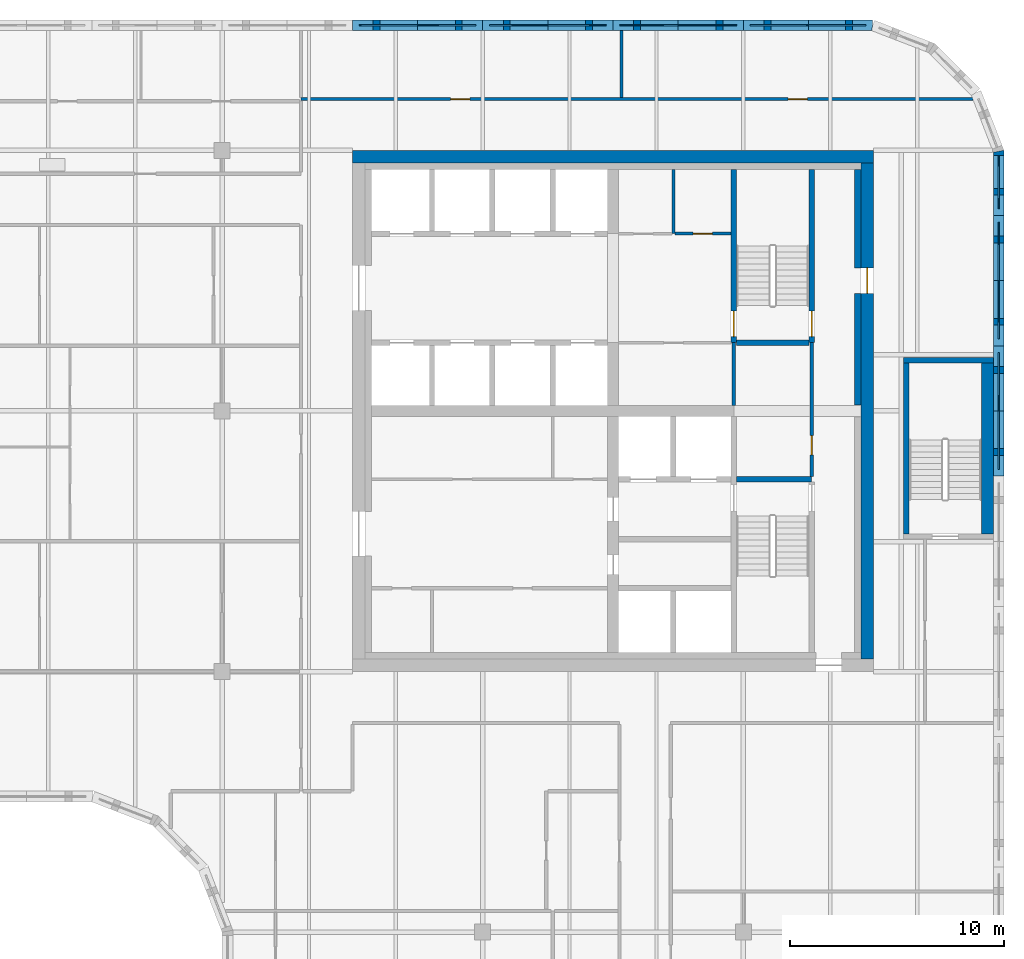
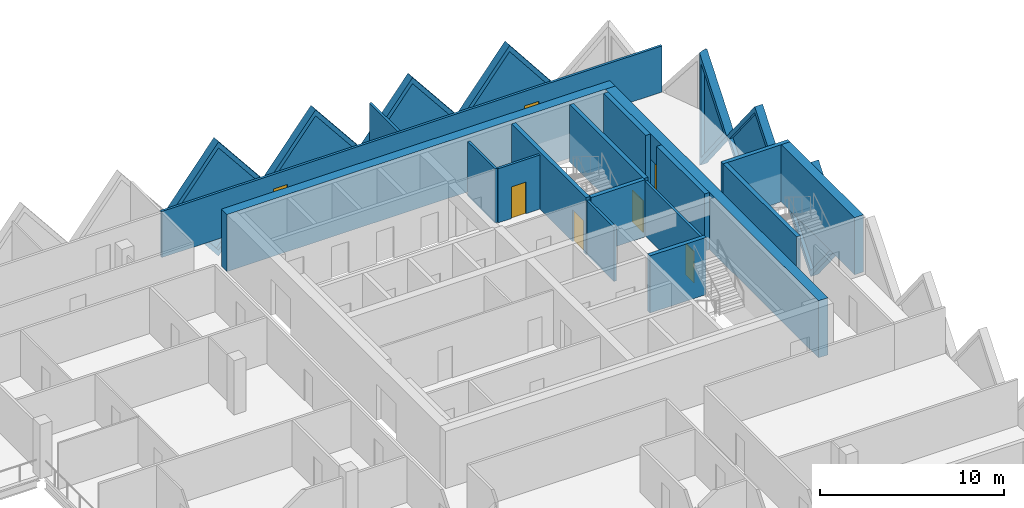
# One storey, part 9 of 12: 24 walls, 7 doors, 7 plates, 14 openings.
"""IFC4 building model written with IfcOpenShell, lengths in metres."""

from ifc_helpers import new_model, si_unit, direction, frame, frame_2d, origin, place, context, subcontext, project, spatial, polyline, rectangle, outline, extrude, faceted_brep, source, transform, mapped, material, layer, layer_set, type_object, element, fill, save


model = new_model("IFC4")

# Units and contexts
model_context = context("Model", 3, precision=1e-05, world=origin(), true_north=direction((0.0, 1.0)))
body_context = subcontext(model_context, "Body", "Model", "MODEL_VIEW")
ifc_project = project(units=[si_unit("LENGTHUNIT", "METRE"), si_unit("AREAUNIT", "SQUARE_METRE"), si_unit("VOLUMEUNIT", "CUBIC_METRE"), si_unit("PLANEANGLEUNIT", "RADIAN"), si_unit("MASSUNIT", "GRAM", prefix="KILO")], contexts=[model_context])

# Site, building, storey
site_placement = place(None, origin())
site = spatial("IfcSite", under=ifc_project, at=site_placement, CompositionType="ELEMENT")
building_placement = place(site_placement, origin())
building = spatial("IfcBuilding", under=site, at=building_placement, Name="Tessera Gate Towers", CompositionType="ELEMENT")
storey_placement = place(building_placement, frame((0.0, 0.0, 159.199951171875)))
storey = spatial("IfcBuildingStorey", under=building, at=storey_placement, Name="L39", CompositionType="ELEMENT", Elevation=159.199951171875)

# Wall
ifc_material_1 = material(Name="Concrete C40/50", Category="concrete")
ifc_layer_1 = layer(ifc_material_1, 0.25)
ifc_layer_set_1 = layer_set([ifc_layer_1], Name="CORE ENCLOSURE WALL 250")
wall_type_1 = type_object("IfcWallType", Name="CORE ENCLOSURE WALL 250", PredefinedType="SOLIDWALL", material=ifc_layer_set_1)
wall_1_placement = place(storey_placement, frame((48.47509765625, 33.39990234375, 0.0), z_axis=(0.0, 0.0, 1.0), x_axis=(1.0, 0.0, 0.0)))
element("IfcWall", 1, at=wall_1_placement, inside=storey, type_object=wall_type_1, Name="L39 shaft and stair enclosure wall", PredefinedType="SOLIDWALL", context=body_context, shape_type="SweptSolid", body=[
    extrude(rectangle(XDim=3.52490234375, YDim=0.25, at=frame_2d((1.762451171875, 0.0))), origin(), (0.0, 0.0, 1.0), 3.800048828125),
])

# Wall, opening, door
wall_2_placement = place(storey_placement, frame((48.35009765625, 47.89990234375, 0.0), z_axis=(0.0, 0.0, 1.0), x_axis=(0.0, -1.0, 0.0)))
wall_2 = element("IfcWall", 2, at=wall_2_placement, inside=storey, type_object=wall_type_1, Name="L39 shaft and stair enclosure wall", PredefinedType="SOLIDWALL", context=body_context, shape_type="SweptSolid", body=[
    extrude(rectangle(XDim=8.099853515625, YDim=0.25, at=frame_2d((4.0498046875, 0.0))), origin(), (0.0, 0.0, 1.0), 3.800048828125),
])
shared_shape_1 = source(origin(), body_context, "Body", "SweptSolid", [
    extrude(rectangle(XDim=1.199951171875, YDim=2.10009765625, at=frame_2d((0.60009765625, 1.050048828125))), frame((0.0, 0.135009765625, 0.0), z_axis=(0.0, -1.0, 0.0), x_axis=(1.0, 0.0, 0.0)), (0.0, 0.0, 1.0), 0.27001953125),
])
opening_1_placement = place(wall_2_placement, frame((6.625, 0.0, 0.0)))
opening_1 = element("IfcOpeningElement", 3, at=opening_1_placement, cuts=wall_2, Name="Opening SD-ST2-1", PredefinedType="OPENING", context=body_context, shape_type="MappedRepresentation", body=[
    mapped(shared_shape_1, transform((0.0, 0.0, 0.0), scale=1.0)),
])
ifc_material_2 = material(Name="Hollow steel fire door", Category="steel")
door_type_1 = type_object("IfcDoorType", Name="CORE DOOR SD 1200x2100", OperationType="NOTDEFINED", PredefinedType="DOOR", material=ifc_material_2)
shared_shape_2 = source(origin(), body_context, "Body", "SweptSolid", [
    extrude(rectangle(XDim=1.199951171875, YDim=2.10009765625, at=frame_2d((0.60009765625, 1.050048828125))), frame((0.0, 0.02490234375, 0.0), z_axis=(0.0, -1.0, 0.0), x_axis=(1.0, 0.0, 0.0)), (0.0, 0.0, 1.0), 0.050048828125),
])
door_1_placement = place(opening_1_placement, origin())
door_1 = element("IfcDoor", 4, at=door_1_placement, inside=storey, type_object=door_type_1, Name="Stair door", OperationType="SINGLE_SWING_RIGHT", OverallHeight=2.10009765625, OverallWidth=1.199951171875, PredefinedType="DOOR", context=body_context, shape_type="MappedRepresentation", body=[
    mapped(shared_shape_2, transform((0.0, 0.0, 0.0), scale=1.0)),
])
fill(opening_1, door_1)

wall_3_placement = place(storey_placement, frame((52.0, 39.800048828125, 0.0), z_axis=(0.0, 0.0, 1.0), x_axis=(0.0, 1.0, 0.0)))
wall_3 = element("IfcWall", 5, at=wall_3_placement, inside=storey, type_object=wall_type_1, Name="L39 shaft and stair enclosure wall", PredefinedType="SOLIDWALL", context=body_context, shape_type="SweptSolid", body=[
    extrude(rectangle(XDim=8.099853515625, YDim=0.25, at=frame_2d((4.0498046875, 0.0))), origin(), (0.0, 0.0, 1.0), 3.800048828125),
])
opening_2_placement = place(wall_3_placement, frame((0.27490234375, 0.0, 0.0)))
opening_2 = element("IfcOpeningElement", 6, at=opening_2_placement, cuts=wall_3, Name="Opening SD-ST2-2", PredefinedType="OPENING", context=body_context, shape_type="MappedRepresentation", body=[
    mapped(shared_shape_1, transform((0.0, 0.0, 0.0), scale=1.0)),
])
door_2_placement = place(opening_2_placement, origin())
door_2 = element("IfcDoor", 7, at=door_2_placement, inside=storey, type_object=door_type_1, Name="Stair door", OperationType="SINGLE_SWING_LEFT", OverallHeight=2.10009765625, OverallWidth=1.199951171875, PredefinedType="DOOR", context=body_context, shape_type="MappedRepresentation", body=[
    mapped(shared_shape_2, transform((0.0, 0.0, 0.0), scale=1.0)),
])
fill(opening_2, door_2)

# Walls
wall_4_placement = place(storey_placement, frame((48.47509765625, 39.800048828125, 0.0), z_axis=(0.0, 0.0, 1.0), x_axis=(1.0, 0.0, 0.0)))
element("IfcWall", 8, at=wall_4_placement, inside=storey, type_object=wall_type_1, Name="L39 shaft and stair enclosure wall", PredefinedType="SOLIDWALL", context=body_context, shape_type="SweptSolid", body=[
    extrude(rectangle(XDim=3.39990234375, YDim=0.25, at=frame_2d((1.699951171875, 0.0))), origin(), (0.0, 0.0, 1.0), 3.800048828125),
])
wall_5_placement = place(storey_placement, frame((56.425048828125, 30.85009765625, 0.0), z_axis=(0.0, 0.0, 1.0), x_axis=(0.0, 1.0, 0.0)))
element("IfcWall", 9, at=wall_5_placement, inside=storey, type_object=wall_type_1, Name="L39 ST5 enclosure wall", PredefinedType="SOLIDWALL", context=body_context, shape_type="SweptSolid", body=[
    extrude(rectangle(XDim=8.0, YDim=0.25, at=frame_2d((4.0, 0.0))), origin(), (0.0, 0.0, 1.0), 3.800048828125),
])
wall_6_placement = place(storey_placement, frame((56.300048828125, 38.97509765625, 0.0), z_axis=(0.0, 0.0, 1.0), x_axis=(1.0, 0.0, 0.0)))
element("IfcWall", 10, at=wall_6_placement, inside=storey, type_object=wall_type_1, Name="L39 ST5 enclosure wall", PredefinedType="SOLIDWALL", context=body_context, shape_type="SweptSolid", body=[
    extrude(rectangle(XDim=4.199951171875, YDim=0.25, at=frame_2d((2.10009765625, 0.0))), origin(), (0.0, 0.0, 1.0), 3.800048828125),
])
ifc_material_3 = material(Name="Concrete C40/50", Category="concrete")
ifc_layer_2 = layer(ifc_material_3, 0.550048828125)
ifc_layer_set_2 = layer_set([ifc_layer_2], Name="CORE ENCLOSURE WALL 550")
wall_type_2 = type_object("IfcWallType", Name="CORE ENCLOSURE WALL 550", PredefinedType="SOLIDWALL", material=ifc_layer_set_2)
wall_7_placement = place(storey_placement, frame((60.22509765625, 38.85009765625, 0.0), z_axis=(0.0, 0.0, 1.0), x_axis=(0.0, -1.0, 0.0)))
element("IfcWall", 11, at=wall_7_placement, inside=storey, type_object=wall_type_2, Name="L39 ST5 enclosure wall", PredefinedType="SOLIDWALL", context=body_context, shape_type="SweptSolid", body=[
    extrude(rectangle(XDim=8.0, YDim=0.550048828125, at=frame_2d((4.0, 0.0))), origin(), (0.0, 0.0, 1.0), 3.800048828125),
])
ifc_material_4 = material(Name="Concrete C50/60", Category="concrete")
ifc_layer_3 = layer(ifc_material_4, 0.60009765625)
ifc_layer_set_3 = layer_set([ifc_layer_3], Name="CORE SHEAR WALL 600 C50/60")
wall_type_3 = type_object("IfcWallType", Name="CORE SHEAR WALL 600 C50/60", PredefinedType="SHEAR", material=ifc_layer_set_3)
wall_8_placement = place(storey_placement, frame((30.5, 48.5, 0.0), z_axis=(0.0, 0.0, 1.0), x_axis=(1.0, 0.0, 0.0)))
element("IfcWall", 12, at=wall_8_placement, inside=storey, type_object=wall_type_3, Name="Core wall N L39", PredefinedType="SHEAR", context=body_context, shape_type="SweptSolid", body=[
    extrude(rectangle(XDim=24.39990234375, YDim=0.60009765625, at=frame_2d((12.199951171875, 0.0))), origin(), (0.0, 0.0, 1.0), 3.800048828125),
])

# Wall, opening, door
wall_9_placement = place(storey_placement, frame((54.60009765625, 48.199951171875, 0.0), z_axis=(0.0, 0.0, 1.0), x_axis=(0.0, -1.0, 0.0)))
wall_9 = element("IfcWall", 13, at=wall_9_placement, inside=storey, type_object=wall_type_3, Name="Core wall E L39", PredefinedType="SHEAR", context=body_context, shape_type="SweptSolid", body=[
    extrude(rectangle(XDim=23.199951171875, YDim=0.60009765625, at=frame_2d((11.60009765625, 0.0))), origin(), (0.0, 0.0, 1.0), 3.800048828125),
])
shared_shape_3 = source(origin(), body_context, "Body", "SweptSolid", [
    extrude(rectangle(XDim=1.199951171875, YDim=2.10009765625, at=frame_2d((0.60009765625, 1.050048828125))), frame((0.0, 0.31005859375, 0.0), z_axis=(0.0, -1.0, 0.0), x_axis=(1.0, 0.0, 0.0)), (0.0, 0.0, 1.0), 0.6201171875),
])
opening_3_placement = place(wall_9_placement, frame((4.89990234375, 0.0, 0.0)))
opening_3 = element("IfcOpeningElement", 14, at=opening_3_placement, cuts=wall_9, Name="Opening ED-T1-26-04", PredefinedType="OPENING", context=body_context, shape_type="MappedRepresentation", body=[
    mapped(shared_shape_3, transform((0.0, 0.0, 0.0), scale=1.0)),
])
ifc_material_5 = material(Name="Hollow steel fire door", Category="steel")
door_type_2 = type_object("IfcDoorType", Name="CORE DOOR ED 1200x2100", OperationType="NOTDEFINED", PredefinedType="DOOR", material=ifc_material_5)
door_3_placement = place(opening_3_placement, origin())
door_3 = element("IfcDoor", 15, at=door_3_placement, inside=storey, type_object=door_type_2, Name="Core exit door", OperationType="SINGLE_SWING_LEFT", OverallHeight=2.10009765625, OverallWidth=1.199951171875, PredefinedType="DOOR", context=body_context, shape_type="MappedRepresentation", body=[
    mapped(shared_shape_2, transform((0.0, 0.0, 0.0), scale=1.0)),
])
fill(opening_3, door_3)

# Walls
ifc_material_6 = material(Name="Concrete C50/60", Category="concrete")
ifc_layer_4 = layer(ifc_material_6, 0.300048828125)
ifc_layer_set_4 = layer_set([ifc_layer_4], Name="CORE WALL THICKENING 300")
wall_type_4 = type_object("IfcWallType", Name="CORE WALL THICKENING 300", PredefinedType="SOLIDWALL", material=ifc_layer_set_4)
wall_10_placement = place(storey_placement, frame((54.14990234375, 36.8798828125, 0.0), z_axis=(0.0, 0.0, 1.0), x_axis=(0.0, 1.0, 0.0)))
element("IfcWall", 16, at=wall_10_placement, inside=storey, type_object=wall_type_4, Name="Core wall thickening E L39", PredefinedType="SOLIDWALL", context=body_context, shape_type="SweptSolid", body=[
    extrude(rectangle(XDim=5.22021484375, YDim=0.300048828125, at=frame_2d((2.610107421875, 0.0))), origin(), (0.0, 0.0, 1.0), 3.800048828125),
])
wall_11_placement = place(storey_placement, frame((54.14990234375, 43.300048828125, 0.0), z_axis=(0.0, 0.0, 1.0), x_axis=(0.0, 1.0, 0.0)))
element("IfcWall", 17, at=wall_11_placement, inside=storey, type_object=wall_type_4, Name="Core wall thickening E L39", PredefinedType="SOLIDWALL", context=body_context, shape_type="SweptSolid", body=[
    extrude(rectangle(XDim=4.599853515625, YDim=0.300048828125, at=frame_2d((2.2998046875, 0.0))), origin(), (0.0, 0.0, 1.0), 3.800048828125),
])

# Wall, openings, doors
ifc_material_7 = material(Name="Gypsum board on steel studs, mineral wool", Category="steel")
ifc_layer_5 = layer(ifc_material_7, 0.14990234375)
ifc_layer_set_5 = layer_set([ifc_layer_5], Name="CORRIDOR WALL 150")
wall_type_5 = type_object("IfcWallType", Name="CORRIDOR WALL 150", PredefinedType="PARTITIONING", material=ifc_layer_set_5)
wall_12_placement = place(storey_placement, frame((28.10009765625, 51.199951171875, 0.0), z_axis=(0.0, 0.0, 1.0), x_axis=(1.0, 0.0, 0.0)))
wall_12 = element("IfcWall", 18, at=wall_12_placement, inside=storey, type_object=wall_type_5, Name="T1-L39-PW-048", PredefinedType="PARTITIONING", context=body_context, shape_type="SweptSolid", body=[
    extrude(rectangle(XDim=31.438232421875, YDim=0.14990234375, at=frame_2d((15.71923828125, 0.0))), origin(), (0.0, 0.0, 1.0), 3.067138671875),
])
shared_shape_4 = source(origin(), body_context, "Body", "SweptSolid", [
    extrude(rectangle(XDim=0.89990234375, YDim=2.10009765625, at=frame_2d((0.449951171875, 1.050048828125))), frame((0.0, 0.0849609375, 0.0), z_axis=(0.0, -1.0, 0.0), x_axis=(1.0, 0.0, 0.0)), (0.0, 0.0, 1.0), 0.169921875),
])
opening_4_placement = place(wall_12_placement, frame((7.0, 0.0, 0.0)))
opening_4 = element("IfcOpeningElement", 19, at=opening_4_placement, cuts=wall_12, Name="Opening D890FD60-A14-04", PredefinedType="OPENING", context=body_context, shape_type="MappedRepresentation", body=[
    mapped(shared_shape_4, transform((0.0, 0.0, 0.0), scale=1.0)),
])
opening_5_placement = place(wall_12_placement, frame((22.800048828125, 0.0, 0.0)))
opening_5 = element("IfcOpeningElement", 20, at=opening_5_placement, cuts=wall_12, Name="Opening D890FD60-A14-05", PredefinedType="OPENING", context=body_context, shape_type="MappedRepresentation", body=[
    mapped(shared_shape_4, transform((0.0, 0.0, 0.0), scale=1.0)),
])
ifc_material_8 = material(Name="Timber door leaf in steel frame", Category="steel")
door_type_3 = type_object("IfcDoorType", Name="CORRIDOR DOOR 900 FD60", OperationType="NOTDEFINED", PredefinedType="DOOR", material=ifc_material_8)
shared_shape_5 = source(origin(), body_context, "Body", "SweptSolid", [
    extrude(rectangle(XDim=0.89990234375, YDim=2.10009765625, at=frame_2d((0.449951171875, 1.050048828125))), frame((0.0, 0.02490234375, 0.0), z_axis=(0.0, -1.0, 0.0), x_axis=(1.0, 0.0, 0.0)), (0.0, 0.0, 1.0), 0.050048828125),
])
door_4_placement = place(opening_4_placement, origin())
door_4 = element("IfcDoor", 21, at=door_4_placement, inside=storey, type_object=door_type_3, Name="T1-L39-PD-027", OperationType="SINGLE_SWING_LEFT", OverallHeight=2.10009765625, OverallWidth=0.89990234375, PredefinedType="DOOR", context=body_context, shape_type="MappedRepresentation", body=[
    mapped(shared_shape_5, transform((0.0, 0.0, 0.0), scale=1.0)),
])
fill(opening_4, door_4)
door_5_placement = place(opening_5_placement, origin())
door_5 = element("IfcDoor", 22, at=door_5_placement, inside=storey, type_object=door_type_3, Name="T1-L39-PD-028", OperationType="SINGLE_SWING_LEFT", OverallHeight=2.10009765625, OverallWidth=0.89990234375, PredefinedType="DOOR", context=body_context, shape_type="MappedRepresentation", body=[
    mapped(shared_shape_5, transform((0.0, 0.0, 0.0), scale=1.0)),
])
fill(opening_5, door_5)

# Wall, opening, door
ifc_material_9 = material(Name="Gypsum board on steel studs", Category="steel")
ifc_layer_6 = layer(ifc_material_9, 0.14990234375)
ifc_layer_set_6 = layer_set([ifc_layer_6], Name="SERVICE ROOM WALL 150")
wall_type_6 = type_object("IfcWallType", Name="SERVICE ROOM WALL 150", PredefinedType="PARTITIONING", material=ifc_layer_set_6)
wall_13_placement = place(storey_placement, frame((52.0, 33.52490234375, 0.0), z_axis=(0.0, 0.0, 1.0), x_axis=(0.0, 1.0, 0.0)))
wall_13 = element("IfcWall", 23, at=wall_13_placement, inside=storey, type_object=wall_type_6, Name="L39 service room wall", PredefinedType="PARTITIONING", context=body_context, shape_type="SweptSolid", body=[
    extrude(rectangle(XDim=6.275146484375, YDim=0.14990234375, at=frame_2d((3.1376953125, 0.0))), origin(), (0.0, 0.0, 1.0), 3.60009765625),
])
opening_6_placement = place(wall_13_placement, frame((1.02490234375, 0.0, 0.0)))
opening_6 = element("IfcOpeningElement", 24, at=opening_6_placement, cuts=wall_13, Name="Opening RD-T1-26-11", PredefinedType="OPENING", context=body_context, shape_type="MappedRepresentation", body=[
    mapped(shared_shape_4, transform((0.0, 0.0, 0.0), scale=1.0)),
])
ifc_material_10 = material(Name="Hollow steel fire door", Category="steel")
door_type_4 = type_object("IfcDoorType", Name="CORE DOOR RD 900x2100", OperationType="NOTDEFINED", PredefinedType="DOOR", material=ifc_material_10)
door_6_placement = place(opening_6_placement, origin())
door_6 = element("IfcDoor", 25, at=door_6_placement, inside=storey, type_object=door_type_4, Name="Core room door", OperationType="SINGLE_SWING_LEFT", OverallHeight=2.10009765625, OverallWidth=0.89990234375, PredefinedType="DOOR", context=body_context, shape_type="MappedRepresentation", body=[
    mapped(shared_shape_5, transform((0.0, 0.0, 0.0), scale=1.0)),
])
fill(opening_6, door_6)

# Walls
wall_14_placement = place(storey_placement, frame((48.35009765625, 36.85009765625, 0.0), z_axis=(0.0, 0.0, 1.0), x_axis=(0.0, 1.0, 0.0)))
element("IfcWall", 26, at=wall_14_placement, inside=storey, type_object=wall_type_6, Name="L39 service room wall", PredefinedType="PARTITIONING", context=body_context, shape_type="SweptSolid", body=[
    extrude(rectangle(XDim=2.949951171875, YDim=0.14990234375, at=frame_2d((1.47509765625, 0.0))), origin(), (0.0, 0.0, 1.0), 3.60009765625),
])
wall_15_placement = place(storey_placement, frame((45.52490234375, 44.89990234375, 0.0), z_axis=(0.0, 0.0, 1.0), x_axis=(0.0, 1.0, 0.0)))
element("IfcWall", 27, at=wall_15_placement, inside=storey, type_object=wall_type_6, Name="L39 service room wall", PredefinedType="PARTITIONING", context=body_context, shape_type="SweptSolid", body=[
    extrude(rectangle(XDim=3.0, YDim=0.14990234375, at=frame_2d((1.5, 0.0))), origin(), (0.0, 0.0, 1.0), 3.60009765625),
])

# Wall, opening, door
wall_16_placement = place(storey_placement, frame((45.60009765625, 44.89990234375, 0.0), z_axis=(0.0, 0.0, 1.0), x_axis=(1.0, 0.0, 0.0)))
wall_16 = element("IfcWall", 28, at=wall_16_placement, inside=storey, type_object=wall_type_6, Name="L39 service room wall", PredefinedType="PARTITIONING", context=body_context, shape_type="SweptSolid", body=[
    extrude(rectangle(XDim=2.625, YDim=0.14990234375, at=frame_2d((1.3125, 0.0))), origin(), (0.0, 0.0, 1.0), 3.60009765625),
])
opening_7_placement = place(wall_16_placement, frame((0.85009765625, 0.0, 0.0)))
opening_7 = element("IfcOpeningElement", 29, at=opening_7_placement, cuts=wall_16, Name="Opening RD-T1-26-14", PredefinedType="OPENING", context=body_context, shape_type="MappedRepresentation", body=[
    mapped(shared_shape_4, transform((0.0, 0.0, 0.0), scale=1.0)),
])
door_7_placement = place(opening_7_placement, origin())
door_7 = element("IfcDoor", 30, at=door_7_placement, inside=storey, type_object=door_type_4, Name="Core room door", OperationType="SINGLE_SWING_LEFT", OverallHeight=2.10009765625, OverallWidth=0.89990234375, PredefinedType="DOOR", context=body_context, shape_type="MappedRepresentation", body=[
    mapped(shared_shape_5, transform((0.0, 0.0, 0.0), scale=1.0)),
])
fill(opening_7, door_7)

# Wall
ifc_material_11 = material(Name="Gypsum board on steel studs, mineral wool", Category="steel")
ifc_layer_7 = layer(ifc_material_11, 0.14990234375)
ifc_layer_set_7 = layer_set([ifc_layer_7], Name="TENANCY WALL 150")
wall_type_7 = type_object("IfcWallType", Name="TENANCY WALL 150", PredefinedType="PARTITIONING", material=ifc_layer_set_7)
wall_17_placement = place(storey_placement, frame((43.10009765625, 51.27587890625, 0.0), z_axis=(0.0, 0.0, 1.0), x_axis=(0.0, 1.0, 0.0)))
element("IfcWall", 31, at=wall_17_placement, inside=storey, type_object=wall_type_7, Name="T1-L39-PW-050", PredefinedType="PARTITIONING", context=body_context, shape_type="SweptSolid", body=[
    extrude(rectangle(XDim=3.1240234375, YDim=0.14990234375, at=frame_2d((1.56201171875, 0.0))), origin(), (0.0, 0.0, 1.0), 3.067138671875),
])

# Wall, opening, plate
ifc_material_12 = material(Name="Precast concrete C60/75 white", Category="concrete")
ifc_layer_8 = layer(ifc_material_12, 0.5)
ifc_layer_set_8 = layer_set([ifc_layer_8], Name="TS1 tessera")
wall_type_8 = type_object("IfcWallType", Name="TS1 tessera", PredefinedType="SOLIDWALL", material=ifc_layer_set_8)
shared_shape_6 = source(origin(), body_context, "Body", "Brep", [
    faceted_brep([(3.00341796875, -0.25, 0.0), (6.053466796875, -0.25, 3.800048828125), (3.00341796875, -0.25, 7.60009765625), (0.0, -0.25, 3.800048828125), (0.046630859375, 0.25, 3.85888671875), (3.00341796875, 0.25, 7.60009765625), (6.053466796875, 0.25, 3.800048828125), (3.00341796875, 0.25, 0.0), (0.046630859375, 0.25, 3.7412109375), (0.0, 0.0, 3.800048828125)], [[[0, 1, 2, 3]], [[4, 5, 6, 7, 8]], [[7, 6, 1, 0]], [[6, 5, 2, 1]], [[5, 4, 9, 3, 2]], [[8, 7, 0, 3, 9]], [[8, 9, 4]]]),
])
wall_18_placement = place(storey_placement, frame((54.853515625, 54.64990234375, -3.800048828125), z_axis=(0.0, 0.0, 1.0), x_axis=(-1.0, 0.0, 0.0)))
wall_18 = element("IfcWall", 32, at=wall_18_placement, inside=storey, type_object=wall_type_8, Name="Precast tessera T1 TS1-0654", PredefinedType="SOLIDWALL", context=body_context, shape_type="MappedRepresentation", body=[
    mapped(shared_shape_6, transform((0.0, 0.0, 0.0), scale=1.0)),
])
shared_shape_7 = source(origin(), body_context, "Body", "SweptSolid", [
    extrude(outline(polyline([(3.0048828125, 0.4013671875), (5.73291015625, 3.800048828125), (3.0048828125, 7.19873046875), (0.318603515625, 3.800048828125), (3.0048828125, 0.4013671875)])), frame((0.0, 0.260009765625, 0.0), z_axis=(0.0, -1.0, 0.0), x_axis=(1.0, 0.0, 0.0)), (0.0, 0.0, 1.0), 0.52001953125),
])
opening_8_placement = place(wall_18_placement, origin())
opening_8 = element("IfcOpeningElement", 33, at=opening_8_placement, cuts=wall_18, Name="Opening T1-PL2-1334", PredefinedType="OPENING", context=body_context, shape_type="MappedRepresentation", body=[
    mapped(shared_shape_7, transform((0.0, 0.0, 0.0), scale=1.0)),
])
ifc_material_13 = material(Name="Low-e laminated glass", Category="glass")
ifc_layer_9 = layer(ifc_material_13, 0.06005859375)
ifc_layer_set_9 = layer_set([ifc_layer_9], Name="PL2 rhombic pane")
plate_type = type_object("IfcPlateType", Name="PL2 rhombic pane", PredefinedType="SHEET", material=ifc_layer_set_9)
shared_shape_8 = source(origin(), body_context, "Body", "SweptSolid", [
    extrude(outline(polyline([(3.0048828125, 0.4013671875), (5.73291015625, 3.800048828125), (3.0048828125, 7.19873046875), (0.318603515625, 3.800048828125), (3.0048828125, 0.4013671875)])), frame((0.0, 0.030029296875, 0.0), z_axis=(0.0, -1.0, 0.0), x_axis=(1.0, 0.0, 0.0)), (0.0, 0.0, 1.0), 0.06005859375),
])
plate_1_placement = place(opening_8_placement, origin())
plate_1 = element("IfcPlate", 34, at=plate_1_placement, inside=storey, type_object=plate_type, Name="Glass pane T1 PL2-1334", PredefinedType="SHEET", context=body_context, shape_type="MappedRepresentation", body=[
    mapped(shared_shape_8, transform((0.0, 0.0, 0.0), scale=1.0)),
])
fill(opening_8, plate_1)

shared_shape_9 = source(origin(), body_context, "Body", "Brep", [
    faceted_brep([(3.050048828125, -0.25, 0.0), (6.099853515625, -0.25, 3.7998046875), (6.099853515625, -0.25, 3.80029296875), (3.050048828125, -0.25, 7.60009765625), (0.0, -0.25, 3.800048828125), (0.0, 0.25, 3.800048828125), (3.050048828125, 0.25, 7.60009765625), (6.099853515625, 0.25, 3.80029296875), (6.099853515625, 0.25, 3.7998046875), (3.050048828125, 0.25, 0.0)], [[[0, 1, 2, 3, 4]], [[5, 6, 7, 8, 9]], [[9, 8, 1, 0]], [[7, 6, 3, 2]], [[6, 5, 4, 3]], [[5, 9, 0, 4]], [[1, 8, 7, 2]]]),
])
wall_19_placement = place(storey_placement, frame((60.75, 33.550048828125, -3.800048828125), z_axis=(0.0, 0.0, 1.0), x_axis=(0.0, 1.0, 0.0)))
wall_19 = element("IfcWall", 35, at=wall_19_placement, inside=storey, type_object=wall_type_8, Name="Precast tessera T1 TS1-0652", PredefinedType="SOLIDWALL", context=body_context, shape_type="MappedRepresentation", body=[
    mapped(shared_shape_9, transform((0.0, 0.0, 0.0), scale=1.0)),
])
shared_shape_10 = source(origin(), body_context, "Body", "SweptSolid", [
    extrude(outline(polyline([(3.050048828125, 0.3994140625), (5.779541015625, 3.800048828125), (3.050048828125, 7.20068359375), (0.320556640625, 3.800048828125), (3.050048828125, 0.3994140625)])), frame((0.0, 0.260009765625, 0.0), z_axis=(0.0, -1.0, 0.0), x_axis=(1.0, 0.0, 0.0)), (0.0, 0.0, 1.0), 0.52001953125),
])
opening_9_placement = place(wall_19_placement, origin())
opening_9 = element("IfcOpeningElement", 36, at=opening_9_placement, cuts=wall_19, Name="Opening T1-PL2-1328", PredefinedType="OPENING", context=body_context, shape_type="MappedRepresentation", body=[
    mapped(shared_shape_10, transform((0.0, 0.0, 0.0), scale=1.0)),
])
shared_shape_11 = source(origin(), body_context, "Body", "SweptSolid", [
    extrude(outline(polyline([(3.050048828125, 0.3994140625), (5.779541015625, 3.800048828125), (3.050048828125, 7.20068359375), (0.320556640625, 3.800048828125), (3.050048828125, 0.3994140625)])), frame((0.0, 0.030029296875, 0.0), z_axis=(0.0, -1.0, 0.0), x_axis=(1.0, 0.0, 0.0)), (0.0, 0.0, 1.0), 0.06005859375),
])
plate_2_placement = place(opening_9_placement, origin())
plate_2 = element("IfcPlate", 37, at=plate_2_placement, inside=storey, type_object=plate_type, Name="Glass pane T1 PL2-1328", PredefinedType="SHEET", context=body_context, shape_type="MappedRepresentation", body=[
    mapped(shared_shape_11, transform((0.0, 0.0, 0.0), scale=1.0)),
])
fill(opening_9, plate_2)

wall_20_placement = place(storey_placement, frame((42.699951171875, 54.64990234375, -3.800048828125), z_axis=(0.0, 0.0, 1.0), x_axis=(-1.0, 0.0, 0.0)))
wall_20 = element("IfcWall", 38, at=wall_20_placement, inside=storey, type_object=wall_type_8, Name="Precast tessera T1 TS1-0656", PredefinedType="SOLIDWALL", context=body_context, shape_type="MappedRepresentation", body=[
    mapped(shared_shape_9, transform((0.0, 0.0, 0.0), scale=1.0)),
])
opening_10_placement = place(wall_20_placement, origin())
opening_10 = element("IfcOpeningElement", 39, at=opening_10_placement, cuts=wall_20, Name="Opening T1-PL2-1336", PredefinedType="OPENING", context=body_context, shape_type="MappedRepresentation", body=[
    mapped(shared_shape_10, transform((0.0, 0.0, 0.0), scale=1.0)),
])
plate_3_placement = place(opening_10_placement, origin())
plate_3 = element("IfcPlate", 40, at=plate_3_placement, inside=storey, type_object=plate_type, Name="Glass pane T1 PL2-1336", PredefinedType="SHEET", context=body_context, shape_type="MappedRepresentation", body=[
    mapped(shared_shape_11, transform((0.0, 0.0, 0.0), scale=1.0)),
])
fill(opening_10, plate_3)

shared_shape_12 = source(origin(), body_context, "Body", "SweptSolid", [
    extrude(outline(polyline([(3.050048828125, 0.0), (6.10009765625, 3.800048828125), (3.050048828125, 7.60009765625), (0.0, 3.800048828125), (3.050048828125, 0.0)])), frame((0.0, 0.25, 0.0), z_axis=(0.0, -1.0, 0.0), x_axis=(1.0, 0.0, 0.0)), (0.0, 0.0, 1.0), 0.5),
])
wall_21_placement = place(storey_placement, frame((60.75, 39.64990234375, -3.800048828125), z_axis=(0.0, 0.0, 1.0), x_axis=(0.0, 1.0, 0.0)))
wall_21 = element("IfcWall", 41, at=wall_21_placement, inside=storey, type_object=wall_type_8, Name="Precast tessera T1 TS1-0653", PredefinedType="SOLIDWALL", context=body_context, shape_type="MappedRepresentation", body=[
    mapped(shared_shape_12, transform((0.0, 0.0, 0.0), scale=1.0)),
])
opening_11_placement = place(wall_21_placement, origin())
opening_11 = element("IfcOpeningElement", 42, at=opening_11_placement, cuts=wall_21, Name="Opening T1-PL2-1329", PredefinedType="OPENING", context=body_context, shape_type="MappedRepresentation", body=[
    mapped(shared_shape_10, transform((0.0, 0.0, 0.0), scale=1.0)),
])
plate_4_placement = place(opening_11_placement, origin())
plate_4 = element("IfcPlate", 43, at=plate_4_placement, inside=storey, type_object=plate_type, Name="Glass pane T1 PL2-1329", PredefinedType="SHEET", context=body_context, shape_type="MappedRepresentation", body=[
    mapped(shared_shape_11, transform((0.0, 0.0, 0.0), scale=1.0)),
])
fill(opening_11, plate_4)

wall_22_placement = place(storey_placement, frame((48.800048828125, 54.64990234375, -3.800048828125), z_axis=(0.0, 0.0, 1.0), x_axis=(-1.0, 0.0, 0.0)))
wall_22 = element("IfcWall", 44, at=wall_22_placement, inside=storey, type_object=wall_type_8, Name="Precast tessera T1 TS1-0655", PredefinedType="SOLIDWALL", context=body_context, shape_type="MappedRepresentation", body=[
    mapped(shared_shape_12, transform((0.0, 0.0, 0.0), scale=1.0)),
])
opening_12_placement = place(wall_22_placement, origin())
opening_12 = element("IfcOpeningElement", 45, at=opening_12_placement, cuts=wall_22, Name="Opening T1-PL2-1335", PredefinedType="OPENING", context=body_context, shape_type="MappedRepresentation", body=[
    mapped(shared_shape_10, transform((0.0, 0.0, 0.0), scale=1.0)),
])
plate_5_placement = place(opening_12_placement, origin())
plate_5 = element("IfcPlate", 46, at=plate_5_placement, inside=storey, type_object=plate_type, Name="Glass pane T1 PL2-1335", PredefinedType="SHEET", context=body_context, shape_type="MappedRepresentation", body=[
    mapped(shared_shape_11, transform((0.0, 0.0, 0.0), scale=1.0)),
])
fill(opening_12, plate_5)

wall_23_placement = place(storey_placement, frame((36.60009765625, 54.64990234375, -3.800048828125), z_axis=(0.0, 0.0, 1.0), x_axis=(-1.0, 0.0, 0.0)))
wall_23 = element("IfcWall", 47, at=wall_23_placement, inside=storey, type_object=wall_type_8, Name="Precast tessera T1 TS1-0657", PredefinedType="SOLIDWALL", context=body_context, shape_type="MappedRepresentation", body=[
    mapped(shared_shape_12, transform((0.0, 0.0, 0.0), scale=1.0)),
])
opening_13_placement = place(wall_23_placement, origin())
opening_13 = element("IfcOpeningElement", 48, at=opening_13_placement, cuts=wall_23, Name="Opening T1-PL2-1337", PredefinedType="OPENING", context=body_context, shape_type="MappedRepresentation", body=[
    mapped(shared_shape_10, transform((0.0, 0.0, 0.0), scale=1.0)),
])
plate_6_placement = place(opening_13_placement, origin())
plate_6 = element("IfcPlate", 49, at=plate_6_placement, inside=storey, type_object=plate_type, Name="Glass pane T1 PL2-1337", PredefinedType="SHEET", context=body_context, shape_type="MappedRepresentation", body=[
    mapped(shared_shape_11, transform((0.0, 0.0, 0.0), scale=1.0)),
])
fill(opening_13, plate_6)

ifc_material_14 = material(Name="Precast concrete C60/75 white", Category="concrete")
ifc_layer_10 = layer(ifc_material_14, 0.5)
ifc_layer_set_10 = layer_set([ifc_layer_10], Name="TS3 corner tessera")
wall_type_9 = type_object("IfcWallType", Name="TS3 corner tessera", PredefinedType="SOLIDWALL", material=ifc_layer_set_10)
shared_shape_13 = source(origin(), body_context, "Body", "Brep", [
    faceted_brep([(3.00341796875, -0.25, 0.0), (3.050048828125, -0.25, 0.06005859375), (3.050048828125, -0.25, 7.5400390625), (3.00341796875, -0.25, 7.60009765625), (0.0, -0.25, 3.800048828125), (0.0, 0.25, 3.800048828125), (2.956787109375, 0.25, 7.541259765625), (2.956787109375, 0.25, 0.058837890625), (3.00341796875, 0.000244140625, 0.0), (3.00341796875, 0.000244140625, 7.60009765625)], [[[0, 1, 2, 3, 4]], [[5, 6, 7]], [[1, 0, 8]], [[9, 3, 2]], [[6, 5, 4, 3, 9]], [[5, 7, 8, 0, 4]], [[1, 8, 7, 6, 9, 2]]]),
])
wall_24_placement = place(storey_placement, frame((60.75, 45.75, -3.800048828125), z_axis=(0.0, 0.0, 1.0), x_axis=(0.0, 1.0, 0.0)))
wall_24 = element("IfcWall", 50, at=wall_24_placement, inside=storey, type_object=wall_type_9, Name="Precast corner tessera T1 TS3-0893", PredefinedType="SOLIDWALL", context=body_context, shape_type="MappedRepresentation", body=[
    mapped(shared_shape_13, transform((0.0, 0.0, 0.0), scale=1.0)),
])
shared_shape_14 = source(origin(), body_context, "Body", "SweptSolid", [
    extrude(outline(polyline([(2.803466796875, 6.94384765625), (0.318603515625, 3.800048828125), (2.803466796875, 0.65625), (2.803466796875, 6.94384765625)])), frame((0.0, 0.260009765625, 0.0), z_axis=(0.0, -1.0, 0.0), x_axis=(1.0, 0.0, 0.0)), (0.0, 0.0, 1.0), 0.52001953125),
])
opening_14_placement = place(wall_24_placement, origin())
opening_14 = element("IfcOpeningElement", 51, at=opening_14_placement, cuts=wall_24, Name="Opening T1-PL2-1330", PredefinedType="OPENING", context=body_context, shape_type="MappedRepresentation", body=[
    mapped(shared_shape_14, transform((0.0, 0.0, 0.0), scale=1.0)),
])
shared_shape_15 = source(origin(), body_context, "Body", "SweptSolid", [
    extrude(outline(polyline([(2.803466796875, 6.94384765625), (0.318603515625, 3.800048828125), (2.803466796875, 0.65625), (2.803466796875, 6.94384765625)])), frame((0.0, 0.030029296875, 0.0), z_axis=(0.0, -1.0, 0.0), x_axis=(1.0, 0.0, 0.0)), (0.0, 0.0, 1.0), 0.06005859375),
])
plate_7_placement = place(opening_14_placement, origin())
plate_7 = element("IfcPlate", 52, at=plate_7_placement, inside=storey, type_object=plate_type, Name="Glass pane T1 PL2-1330", PredefinedType="SHEET", context=body_context, shape_type="MappedRepresentation", body=[
    mapped(shared_shape_15, transform((0.0, 0.0, 0.0), scale=1.0)),
])
fill(opening_14, plate_7)

save(model, "model.ifc")
